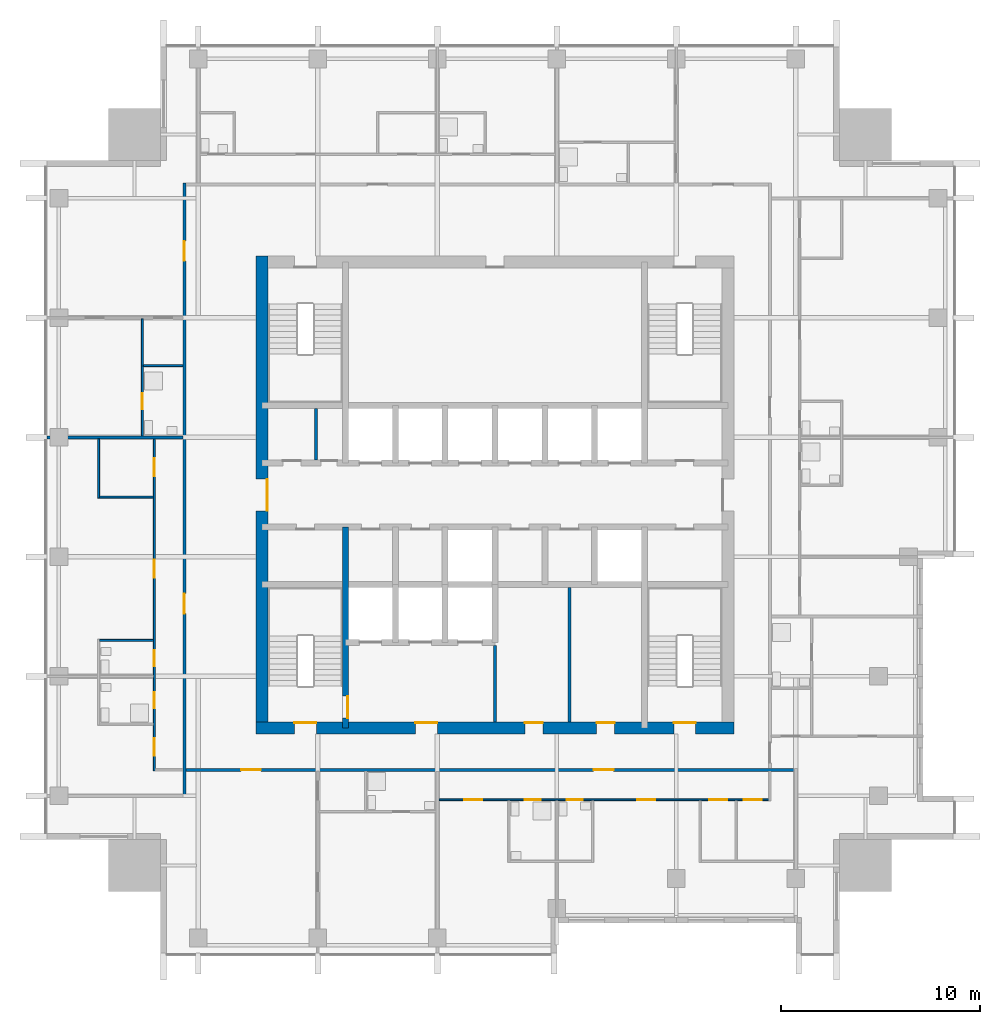
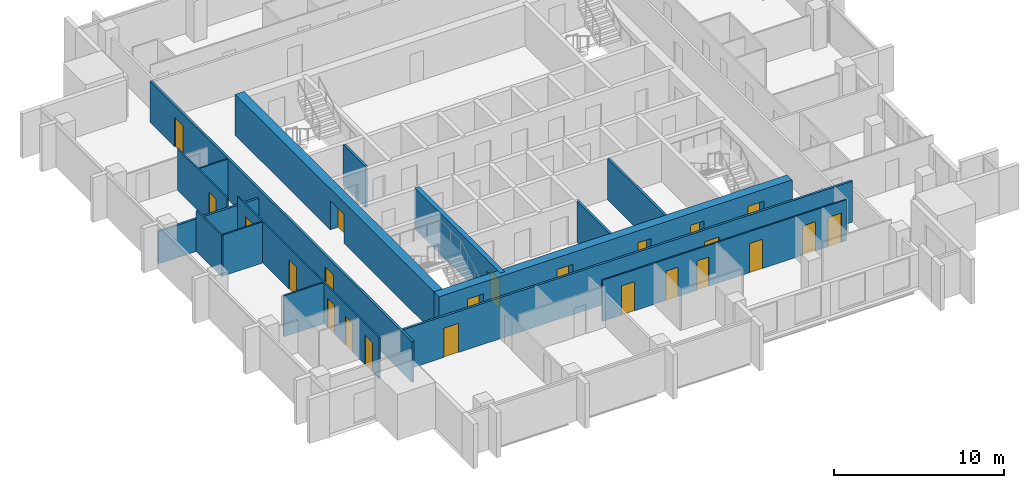
# One storey, part 4 of 10: 23 doors, 16 walls, 23 openings.
"""IFC4 building model written with IfcOpenShell, lengths in metres."""

from ifc_helpers import new_model, si_unit, direction, frame, frame_2d, origin, place, context, subcontext, project, spatial, rectangle, extrude, material, layer, layer_set, type_object, element, fill, save


model = new_model("IFC4")

# Units and contexts
model_context = context("Model", 3, precision=1e-05, world=origin(), true_north=direction((0.0, 1.0)))
body_context = subcontext(model_context, "Body", "Model", "MODEL_VIEW")
ifc_project = project(units=[si_unit("LENGTHUNIT", "METRE"), si_unit("AREAUNIT", "SQUARE_METRE"), si_unit("VOLUMEUNIT", "CUBIC_METRE"), si_unit("PLANEANGLEUNIT", "RADIAN"), si_unit("MASSUNIT", "GRAM", prefix="KILO")], contexts=[model_context])

# Site, building, storey
site_placement = place(None, origin())
site = spatial("IfcSite", under=ifc_project, at=site_placement, CompositionType="ELEMENT")
building_placement = place(site_placement, origin())
building = spatial("IfcBuilding", under=site, at=building_placement, Name="Amberfall Residences", CompositionType="ELEMENT")
storey_placement = place(building_placement, frame((0.0, 0.0, 226.60009765625)))
storey = spatial("IfcBuildingStorey", under=building, at=storey_placement, Name="L61", CompositionType="ELEMENT", Elevation=226.60009765625)

# Wall, opening, door
ifc_material_1 = material(Name="Concrete C55", Category="concrete")
ifc_layer_1 = layer(ifc_material_1, 0.300048828125)
ifc_layer_set_1 = layer_set([ifc_layer_1], Name="Core wall 300 C55")
wall_type_1 = type_object("IfcWallType", Name="Core wall 300 C55", PredefinedType="SHEAR", material=ifc_layer_set_1)
wall_1_placement = place(storey_placement, frame((67.0, 33.800048828125, 0.0), z_axis=(0.0, 0.0, 1.0), x_axis=(0.0, 1.0, 0.0)))
wall_1 = element("IfcWall", 1, at=wall_1_placement, inside=storey, type_object=wall_type_1, Name="Core wall RW8 L61 V45S", PredefinedType="SHEAR", context=body_context, shape_type="SweptSolid", body=[
    extrude(rectangle(XDim=10.099853515625, YDim=0.300048828125, at=frame_2d((5.0498046875, 0.0))), origin(), (0.0, 0.0, 1.0), 2.949951171875),
])
opening_1_placement = place(wall_1_placement, frame((0.5, 0.0, 0.0)))
opening_1 = element("IfcOpeningElement", 2, at=opening_1_placement, cuts=wall_1, Name="Opening FL1", PredefinedType="OPENING", context=body_context, shape_type="SweptSolid", body=[
    extrude(rectangle(XDim=1.10009765625, YDim=2.10009765625, at=frame_2d((0.550048828125, 1.050048828125))), frame((0.0, 0.159912109375, 0.0), z_axis=(0.0, -1.0, 0.0), x_axis=(1.0, 0.0, 0.0)), (0.0, 0.0, 1.0), 0.320068359375),
])
ifc_material_2 = material(Name="Steel fire door set", Category="steel")
door_type_1 = type_object("IfcDoorType", Name="Firefighting lobby door 1100 x 2100", OperationType="SINGLE_SWING_LEFT", PredefinedType="DOOR", material=ifc_material_2)
door_1_placement = place(opening_1_placement, origin())
door_1 = element("IfcDoor", 3, at=door_1_placement, inside=storey, type_object=door_type_1, Name="FL1 L61", OperationType="SINGLE_SWING_RIGHT", OverallHeight=2.10009765625, OverallWidth=1.10009765625, PredefinedType="DOOR", context=body_context, shape_type="SweptSolid", body=[
    extrude(rectangle(XDim=1.10009765625, YDim=2.10009765625, at=frame_2d((0.550048828125, 1.050048828125))), frame((0.0, -0.08740234375, 0.0), z_axis=(0.0, -1.0, 0.0), x_axis=(1.0, 0.0, 0.0)), (0.0, 0.0, 1.0), 0.050048828125),
])
fill(opening_1, door_1)

# Wall, openings, doors
ifc_layer_2 = layer(ifc_material_1, 0.60009765625)
ifc_layer_set_2 = layer_set([ifc_layer_2], Name="Core wall 600 C55")
wall_type_2 = type_object("IfcWallType", Name="Core wall 600 C55", PredefinedType="SHEAR", material=ifc_layer_set_2)
wall_2_placement = place(storey_placement, frame((62.5, 33.800048828125, 0.0), z_axis=(0.0, 0.0, 1.0), x_axis=(1.0, 0.0, 0.0)))
wall_2 = element("IfcWall", 4, at=wall_2_placement, inside=storey, type_object=wall_type_2, Name="Core wall RW7 L61 OS", PredefinedType="SHEAR", context=body_context, shape_type="SweptSolid", body=[
    extrude(rectangle(XDim=24.0, YDim=0.60009765625, at=frame_2d((12.0, 0.0))), origin(), (0.0, 0.0, 1.0), 2.949951171875),
])
opening_2_placement = place(wall_2_placement, frame((1.925048828125, 0.0, 0.0)))
opening_2 = element("IfcOpeningElement", 5, at=opening_2_placement, cuts=wall_2, Name="Opening SD1", PredefinedType="OPENING", context=body_context, shape_type="SweptSolid", body=[
    extrude(rectangle(XDim=1.10009765625, YDim=2.10009765625, at=frame_2d((0.550048828125, 1.050048828125))), frame((0.0, 0.31005859375, 0.0), z_axis=(0.0, -1.0, 0.0), x_axis=(1.0, 0.0, 0.0)), (0.0, 0.0, 1.0), 0.6201171875),
])
opening_3_placement = place(wall_2_placement, frame((20.97509765625, 0.0, 0.0)))
opening_3 = element("IfcOpeningElement", 6, at=opening_3_placement, cuts=wall_2, Name="Opening SD1", PredefinedType="OPENING", context=body_context, shape_type="SweptSolid", body=[
    extrude(rectangle(XDim=1.10009765625, YDim=2.10009765625, at=frame_2d((0.550048828125, 1.050048828125))), frame((0.0, 0.31005859375, 0.0), z_axis=(0.0, -1.0, 0.0), x_axis=(1.0, 0.0, 0.0)), (0.0, 0.0, 1.0), 0.6201171875),
])
opening_4_placement = place(wall_2_placement, frame((8.0, 0.0, 0.0)))
opening_4 = element("IfcOpeningElement", 7, at=opening_4_placement, cuts=wall_2, Name="Opening FL1", PredefinedType="OPENING", context=body_context, shape_type="SweptSolid", body=[
    extrude(rectangle(XDim=1.10009765625, YDim=2.10009765625, at=frame_2d((0.550048828125, 1.050048828125))), frame((0.0, 0.31005859375, 0.0), z_axis=(0.0, -1.0, 0.0), x_axis=(1.0, 0.0, 0.0)), (0.0, 0.0, 1.0), 0.6201171875),
])
opening_5_placement = place(wall_2_placement, frame((13.5, 0.0, 0.0)))
opening_5 = element("IfcOpeningElement", 8, at=opening_5_placement, cuts=wall_2, Name="Opening RD1", PredefinedType="OPENING", context=body_context, shape_type="SweptSolid", body=[
    extrude(rectangle(XDim=0.89990234375, YDim=2.10009765625, at=frame_2d((0.449951171875, 1.050048828125))), frame((0.0, 0.31005859375, 0.0), z_axis=(0.0, -1.0, 0.0), x_axis=(1.0, 0.0, 0.0)), (0.0, 0.0, 1.0), 0.6201171875),
])
opening_6_placement = place(wall_2_placement, frame((17.10009765625, 0.0, 0.0)))
opening_6 = element("IfcOpeningElement", 9, at=opening_6_placement, cuts=wall_2, Name="Opening RD1", PredefinedType="OPENING", context=body_context, shape_type="SweptSolid", body=[
    extrude(rectangle(XDim=0.89990234375, YDim=2.10009765625, at=frame_2d((0.449951171875, 1.050048828125))), frame((0.0, 0.31005859375, 0.0), z_axis=(0.0, -1.0, 0.0), x_axis=(1.0, 0.0, 0.0)), (0.0, 0.0, 1.0), 0.6201171875),
])
door_2_placement = place(opening_4_placement, origin())
door_2 = element("IfcDoor", 10, at=door_2_placement, inside=storey, type_object=door_type_1, Name="FL1 L61", OperationType="SINGLE_SWING_LEFT", OverallHeight=2.10009765625, OverallWidth=1.10009765625, PredefinedType="DOOR", context=body_context, shape_type="SweptSolid", body=[
    extrude(rectangle(XDim=1.10009765625, YDim=2.10009765625, at=frame_2d((0.550048828125, 1.050048828125))), frame((0.0, 0.28759765625, 0.0), z_axis=(0.0, -1.0, 0.0), x_axis=(1.0, 0.0, 0.0)), (0.0, 0.0, 1.0), 0.050048828125),
])
fill(opening_4, door_2)
door_type_2 = type_object("IfcDoorType", Name="Service room door 900 x 2100", OperationType="SINGLE_SWING_LEFT", PredefinedType="DOOR", material=ifc_material_2)
door_3_placement = place(opening_5_placement, origin())
door_3 = element("IfcDoor", 11, at=door_3_placement, inside=storey, type_object=door_type_2, Name="RD1 L61", OperationType="SINGLE_SWING_LEFT", OverallHeight=2.10009765625, OverallWidth=0.89990234375, PredefinedType="DOOR", context=body_context, shape_type="SweptSolid", body=[
    extrude(rectangle(XDim=0.89990234375, YDim=2.10009765625, at=frame_2d((0.449951171875, 1.050048828125))), frame((0.0, 0.28759765625, 0.0), z_axis=(0.0, -1.0, 0.0), x_axis=(1.0, 0.0, 0.0)), (0.0, 0.0, 1.0), 0.050048828125),
])
fill(opening_5, door_3)
door_4_placement = place(opening_6_placement, origin())
door_4 = element("IfcDoor", 12, at=door_4_placement, inside=storey, type_object=door_type_2, Name="RD1 L61", OperationType="SINGLE_SWING_LEFT", OverallHeight=2.10009765625, OverallWidth=0.89990234375, PredefinedType="DOOR", context=body_context, shape_type="SweptSolid", body=[
    extrude(rectangle(XDim=0.89990234375, YDim=2.10009765625, at=frame_2d((0.449951171875, 1.050048828125))), frame((0.0, 0.28759765625, 0.0), z_axis=(0.0, -1.0, 0.0), x_axis=(1.0, 0.0, 0.0)), (0.0, 0.0, 1.0), 0.050048828125),
])
fill(opening_6, door_4)
door_type_3 = type_object("IfcDoorType", Name="Stair door 1100 x 2100", OperationType="SINGLE_SWING_LEFT", PredefinedType="DOOR", material=ifc_material_2)
door_5_placement = place(opening_2_placement, origin())
door_5 = element("IfcDoor", 13, at=door_5_placement, inside=storey, type_object=door_type_3, Name="SD1 L61", OperationType="SINGLE_SWING_LEFT", OverallHeight=2.10009765625, OverallWidth=1.10009765625, PredefinedType="DOOR", context=body_context, shape_type="SweptSolid", body=[
    extrude(rectangle(XDim=1.10009765625, YDim=2.10009765625, at=frame_2d((0.550048828125, 1.050048828125))), frame((0.0, 0.28759765625, 0.0), z_axis=(0.0, -1.0, 0.0), x_axis=(1.0, 0.0, 0.0)), (0.0, 0.0, 1.0), 0.050048828125),
])
fill(opening_2, door_5)
door_6_placement = place(opening_3_placement, origin())
door_6 = element("IfcDoor", 14, at=door_6_placement, inside=storey, type_object=door_type_3, Name="SD1 L61", OperationType="SINGLE_SWING_RIGHT", OverallHeight=2.10009765625, OverallWidth=1.10009765625, PredefinedType="DOOR", context=body_context, shape_type="SweptSolid", body=[
    extrude(rectangle(XDim=1.10009765625, YDim=2.10009765625, at=frame_2d((0.550048828125, 1.050048828125))), frame((0.0, 0.28759765625, 0.0), z_axis=(0.0, -1.0, 0.0), x_axis=(1.0, 0.0, 0.0)), (0.0, 0.0, 1.0), 0.050048828125),
])
fill(opening_3, door_6)

# Wall, opening, door
wall_3_placement = place(storey_placement, frame((62.800048828125, 33.5, 0.0), z_axis=(0.0, 0.0, 1.0), x_axis=(0.0, 1.0, 0.0)))
wall_3 = element("IfcWall", 15, at=wall_3_placement, inside=storey, type_object=wall_type_2, Name="Core wall RW7 L61 OW", PredefinedType="SHEAR", context=body_context, shape_type="SweptSolid", body=[
    extrude(rectangle(XDim=24.0, YDim=0.60009765625, at=frame_2d((12.0, 0.0))), origin(), (0.0, 0.0, 1.0), 2.949951171875),
])
opening_7_placement = place(wall_3_placement, frame((11.199951171875, 0.0, 0.0)))
opening_7 = element("IfcOpeningElement", 16, at=opening_7_placement, cuts=wall_3, Name="Opening LB1", PredefinedType="OPENING", context=body_context, shape_type="SweptSolid", body=[
    extrude(rectangle(XDim=1.60009765625, YDim=2.10009765625, at=frame_2d((0.800048828125, 1.050048828125))), frame((0.0, 0.31005859375, 0.0), z_axis=(0.0, -1.0, 0.0), x_axis=(1.0, 0.0, 0.0)), (0.0, 0.0, 1.0), 0.6201171875),
])
door_type_4 = type_object("IfcDoorType", Name="Lift lobby double door 1600 x 2100", OperationType="DOUBLE_DOOR_SINGLE_SWING", PredefinedType="DOOR", material=ifc_material_2)
door_7_placement = place(opening_7_placement, origin())
door_7 = element("IfcDoor", 17, at=door_7_placement, inside=storey, type_object=door_type_4, Name="LB1 L61", OperationType="DOUBLE_DOOR_SINGLE_SWING", OverallHeight=2.10009765625, OverallWidth=1.60009765625, PredefinedType="DOOR", context=body_context, shape_type="SweptSolid", body=[
    extrude(rectangle(XDim=1.60009765625, YDim=2.10009765625, at=frame_2d((0.800048828125, 1.050048828125))), frame((0.0, -0.2373046875, 0.0), z_axis=(0.0, -1.0, 0.0), x_axis=(1.0, 0.0, 0.0)), (0.0, 0.0, 1.0), 0.050048828125),
])
fill(opening_7, door_7)

# Wall
ifc_material_3 = material(Name="Gypsum board on metal stud")
ifc_layer_3 = layer(ifc_material_3, 0.10009765625)
ifc_layer_set_3 = layer_set([ifc_layer_3], Name="Flat partition 100")
wall_type_3 = type_object("IfcWallType", Name="Flat partition 100", PredefinedType="PARTITIONING", material=ifc_layer_set_3)
wall_4_placement = place(storey_placement, frame((54.60009765625, 45.35009765625, 0.0), z_axis=(0.0, 0.0, 1.0), x_axis=(0.0, 1.0, 0.0)))
element("IfcWall", 18, at=wall_4_placement, inside=storey, type_object=wall_type_3, Name="Partition 002", PredefinedType="PARTITIONING", context=body_context, shape_type="SweptSolid", body=[
    extrude(rectangle(XDim=2.974853515625, YDim=0.10009765625, at=frame_2d((1.4873046875, 0.0))), origin(), (0.0, 0.0, 1.0), 2.949951171875),
])

# Wall, opening, door
wall_5_placement = place(storey_placement, frame((56.800048828125, 54.35009765625, 0.0), z_axis=(0.0, 0.0, 1.0), x_axis=(0.0, -1.0, 0.0)))
wall_5 = element("IfcWall", 19, at=wall_5_placement, inside=storey, type_object=wall_type_3, Name="Partition 003", PredefinedType="PARTITIONING", context=body_context, shape_type="SweptSolid", body=[
    extrude(rectangle(XDim=5.875, YDim=0.10009765625, at=frame_2d((2.9375, 0.0))), origin(), (0.0, 0.0, 1.0), 2.949951171875),
])
opening_8_placement = place(wall_5_placement, frame((3.75, 0.0, 0.0)))
opening_8 = element("IfcOpeningElement", 20, at=opening_8_placement, cuts=wall_5, Name="Opening D42", PredefinedType="OPENING", context=body_context, shape_type="SweptSolid", body=[
    extrude(rectangle(XDim=0.800048828125, YDim=2.10009765625, at=frame_2d((0.39990234375, 1.050048828125))), frame((0.0, 0.06005859375, 0.0), z_axis=(0.0, -1.0, 0.0), x_axis=(1.0, 0.0, 0.0)), (0.0, 0.0, 1.0), 0.1201171875),
])
ifc_material_4 = material(Name="Timber", Category="wood")
door_type_5 = type_object("IfcDoorType", Name="Bathroom door 800 x 2100", OperationType="SINGLE_SWING_LEFT", PredefinedType="DOOR", material=ifc_material_4)
door_8_placement = place(opening_8_placement, origin())
door_8 = element("IfcDoor", 21, at=door_8_placement, inside=storey, type_object=door_type_5, Name="Door 6108 bath1", OperationType="SINGLE_SWING_LEFT", OverallHeight=2.10009765625, OverallWidth=0.800048828125, PredefinedType="DOOR", context=body_context, shape_type="SweptSolid", body=[
    extrude(rectangle(XDim=0.800048828125, YDim=2.10009765625, at=frame_2d((0.39990234375, 1.050048828125))), frame((0.0, 0.02490234375, 0.0), z_axis=(0.0, -1.0, 0.0), x_axis=(1.0, 0.0, 0.0)), (0.0, 0.0, 1.0), 0.050048828125),
])
fill(opening_8, door_8)

# Wall, openings, doors
wall_6_placement = place(storey_placement, frame((57.39990234375, 31.64990234375, 0.0), z_axis=(0.0, 0.0, 1.0), x_axis=(0.0, 1.0, 0.0)))
wall_6 = element("IfcWall", 22, at=wall_6_placement, inside=storey, type_object=wall_type_3, Name="Partition 004", PredefinedType="PARTITIONING", context=body_context, shape_type="SweptSolid", body=[
    extrude(rectangle(XDim=16.675048828125, YDim=0.10009765625, at=frame_2d((8.33740234375, 0.0))), origin(), (0.0, 0.0, 1.0), 2.949951171875),
])
opening_9_placement = place(wall_6_placement, frame((9.699951171875, 0.0, 0.0)))
opening_9 = element("IfcOpeningElement", 23, at=opening_9_placement, cuts=wall_6, Name="Opening D41", PredefinedType="OPENING", context=body_context, shape_type="SweptSolid", body=[
    extrude(rectangle(XDim=0.89990234375, YDim=2.10009765625, at=frame_2d((0.449951171875, 1.050048828125))), frame((0.0, 0.06005859375, 0.0), z_axis=(0.0, -1.0, 0.0), x_axis=(1.0, 0.0, 0.0)), (0.0, 0.0, 1.0), 0.1201171875),
])
opening_10_placement = place(wall_6_placement, frame((14.800048828125, 0.0, 0.0)))
opening_10 = element("IfcOpeningElement", 24, at=opening_10_placement, cuts=wall_6, Name="Opening D41", PredefinedType="OPENING", context=body_context, shape_type="SweptSolid", body=[
    extrude(rectangle(XDim=0.89990234375, YDim=2.10009765625, at=frame_2d((0.449951171875, 1.050048828125))), frame((0.0, 0.06005859375, 0.0), z_axis=(0.0, -1.0, 0.0), x_axis=(1.0, 0.0, 0.0)), (0.0, 0.0, 1.0), 0.1201171875),
])
opening_11_placement = place(wall_6_placement, frame((5.25, 0.0, 0.0)))
opening_11 = element("IfcOpeningElement", 25, at=opening_11_placement, cuts=wall_6, Name="Opening D42", PredefinedType="OPENING", context=body_context, shape_type="SweptSolid", body=[
    extrude(rectangle(XDim=0.800048828125, YDim=2.10009765625, at=frame_2d((0.39990234375, 1.050048828125))), frame((0.0, 0.06005859375, 0.0), z_axis=(0.0, -1.0, 0.0), x_axis=(1.0, 0.0, 0.0)), (0.0, 0.0, 1.0), 0.1201171875),
])
opening_12_placement = place(wall_6_placement, frame((0.75, 0.0, 0.0)))
opening_12 = element("IfcOpeningElement", 26, at=opening_12_placement, cuts=wall_6, Name="Opening D41", PredefinedType="OPENING", context=body_context, shape_type="SweptSolid", body=[
    extrude(rectangle(XDim=0.89990234375, YDim=2.10009765625, at=frame_2d((0.449951171875, 1.050048828125))), frame((0.0, 0.06005859375, 0.0), z_axis=(0.0, -1.0, 0.0), x_axis=(1.0, 0.0, 0.0)), (0.0, 0.0, 1.0), 0.1201171875),
])
opening_13_placement = place(wall_6_placement, frame((3.14990234375, 0.0, 0.0)))
opening_13 = element("IfcOpeningElement", 27, at=opening_13_placement, cuts=wall_6, Name="Opening D42", PredefinedType="OPENING", context=body_context, shape_type="SweptSolid", body=[
    extrude(rectangle(XDim=0.800048828125, YDim=2.10009765625, at=frame_2d((0.39990234375, 1.050048828125))), frame((0.0, 0.06005859375, 0.0), z_axis=(0.0, -1.0, 0.0), x_axis=(1.0, 0.0, 0.0)), (0.0, 0.0, 1.0), 0.1201171875),
])
door_9_placement = place(opening_11_placement, origin())
door_9 = element("IfcDoor", 28, at=door_9_placement, inside=storey, type_object=door_type_5, Name="Door 6107 wc1", OperationType="SINGLE_SWING_LEFT", OverallHeight=2.10009765625, OverallWidth=0.800048828125, PredefinedType="DOOR", context=body_context, shape_type="SweptSolid", body=[
    extrude(rectangle(XDim=0.800048828125, YDim=2.10009765625, at=frame_2d((0.39990234375, 1.050048828125))), frame((0.0, 0.02490234375, 0.0), z_axis=(0.0, -1.0, 0.0), x_axis=(1.0, 0.0, 0.0)), (0.0, 0.0, 1.0), 0.050048828125),
])
fill(opening_11, door_9)
door_10_placement = place(opening_13_placement, origin())
door_10 = element("IfcDoor", 29, at=door_10_placement, inside=storey, type_object=door_type_5, Name="Door 6107 bath1", OperationType="SINGLE_SWING_LEFT", OverallHeight=2.10009765625, OverallWidth=0.800048828125, PredefinedType="DOOR", context=body_context, shape_type="SweptSolid", body=[
    extrude(rectangle(XDim=0.800048828125, YDim=2.10009765625, at=frame_2d((0.39990234375, 1.050048828125))), frame((0.0, 0.02490234375, 0.0), z_axis=(0.0, -1.0, 0.0), x_axis=(1.0, 0.0, 0.0)), (0.0, 0.0, 1.0), 0.050048828125),
])
fill(opening_13, door_10)
door_type_6 = type_object("IfcDoorType", Name="Internal door 900 x 2100", OperationType="SINGLE_SWING_LEFT", PredefinedType="DOOR", material=ifc_material_4)
door_11_placement = place(opening_9_placement, origin())
door_11 = element("IfcDoor", 30, at=door_11_placement, inside=storey, type_object=door_type_6, Name="Door 6107 living", OperationType="SINGLE_SWING_LEFT", OverallHeight=2.10009765625, OverallWidth=0.89990234375, PredefinedType="DOOR", context=body_context, shape_type="SweptSolid", body=[
    extrude(rectangle(XDim=0.89990234375, YDim=2.10009765625, at=frame_2d((0.449951171875, 1.050048828125))), frame((0.0, 0.02490234375, 0.0), z_axis=(0.0, -1.0, 0.0), x_axis=(1.0, 0.0, 0.0)), (0.0, 0.0, 1.0), 0.050048828125),
])
fill(opening_9, door_11)
door_12_placement = place(opening_10_placement, origin())
door_12 = element("IfcDoor", 31, at=door_12_placement, inside=storey, type_object=door_type_6, Name="Door 6107 kitchen", OperationType="SINGLE_SWING_LEFT", OverallHeight=2.10009765625, OverallWidth=0.89990234375, PredefinedType="DOOR", context=body_context, shape_type="SweptSolid", body=[
    extrude(rectangle(XDim=0.89990234375, YDim=2.10009765625, at=frame_2d((0.449951171875, 1.050048828125))), frame((0.0, 0.02490234375, 0.0), z_axis=(0.0, -1.0, 0.0), x_axis=(1.0, 0.0, 0.0)), (0.0, 0.0, 1.0), 0.050048828125),
])
fill(opening_10, door_12)
door_13_placement = place(opening_12_placement, origin())
door_13 = element("IfcDoor", 32, at=door_13_placement, inside=storey, type_object=door_type_6, Name="Door 6107 bedroom1", OperationType="SINGLE_SWING_LEFT", OverallHeight=2.10009765625, OverallWidth=0.89990234375, PredefinedType="DOOR", context=body_context, shape_type="SweptSolid", body=[
    extrude(rectangle(XDim=0.89990234375, YDim=2.10009765625, at=frame_2d((0.449951171875, 1.050048828125))), frame((0.0, 0.02490234375, 0.0), z_axis=(0.0, -1.0, 0.0), x_axis=(1.0, 0.0, 0.0)), (0.0, 0.0, 1.0), 0.050048828125),
])
fill(opening_12, door_13)

# Walls
wall_7_placement = place(storey_placement, frame((56.85009765625, 52.0, 0.0), z_axis=(0.0, 0.0, 1.0), x_axis=(1.0, 0.0, 0.0)))
element("IfcWall", 33, at=wall_7_placement, inside=storey, type_object=wall_type_3, Name="Partition 029", PredefinedType="PARTITIONING", context=body_context, shape_type="SweptSolid", body=[
    extrude(rectangle(XDim=1.974853515625, YDim=0.10009765625, at=frame_2d((0.9873046875, 0.0))), origin(), (0.0, 0.0, 1.0), 2.949951171875),
])
for number, where, z_axis, x_axis, name in (
    (34, (54.64990234375, 45.39990234375, 0.0), (0.0, 0.0, 1.0), (1.0, 0.0, 0.0), "Partition 033"),
    (35, (54.64990234375, 38.199951171875, 0.0), (0.0, 0.0, 1.0), (1.0, 0.0, 0.0), "Partition 035"),
):
    element("IfcWall", number, at=place(storey_placement, frame(where, z_axis=z_axis, x_axis=x_axis)), inside=storey, type_object=wall_type_3, Name=name, PredefinedType="PARTITIONING", context=body_context, shape_type="SweptSolid", body=[
        extrude(rectangle(XDim=2.7001953125, YDim=0.10009765625, at=frame_2d((1.35009765625, 0.0))), origin(), (0.0, 0.0, 1.0), 2.949951171875),
    ])

# Wall, openings, doors
wall_8_placement = place(storey_placement, frame((88.25, 30.199951171875, 0.0), z_axis=(0.0, 0.0, 1.0), x_axis=(-1.0, 0.0, 0.0)))
wall_8 = element("IfcWall", 36, at=wall_8_placement, inside=storey, type_object=wall_type_3, Name="Partition 041", PredefinedType="PARTITIONING", context=body_context, shape_type="SweptSolid", body=[
    extrude(rectangle(XDim=16.574951171875, YDim=0.10009765625, at=frame_2d((8.28759765625, 0.0))), origin(), (0.0, 0.0, 1.0), 2.949951171875),
])
opening_14_placement = place(wall_8_placement, frame((5.699951171875, 0.0, 0.0)))
opening_14 = element("IfcOpeningElement", 37, at=opening_14_placement, cuts=wall_8, Name="Opening D41", PredefinedType="OPENING", context=body_context, shape_type="SweptSolid", body=[
    extrude(rectangle(XDim=0.89990234375, YDim=2.10009765625, at=frame_2d((0.449951171875, 1.050048828125))), frame((0.0, 0.06005859375, 0.0), z_axis=(0.0, -1.0, 0.0), x_axis=(1.0, 0.0, 0.0)), (0.0, 0.0, 1.0), 0.1201171875),
])
opening_15_placement = place(wall_8_placement, frame((0.35009765625, 0.0, 0.0)))
opening_15 = element("IfcOpeningElement", 38, at=opening_15_placement, cuts=wall_8, Name="Opening D41", PredefinedType="OPENING", context=body_context, shape_type="SweptSolid", body=[
    extrude(rectangle(XDim=0.89990234375, YDim=2.10009765625, at=frame_2d((0.449951171875, 1.050048828125))), frame((0.0, 0.06005859375, 0.0), z_axis=(0.0, -1.0, 0.0), x_axis=(1.0, 0.0, 0.0)), (0.0, 0.0, 1.0), 0.1201171875),
])
opening_16_placement = place(wall_8_placement, frame((2.10009765625, 0.0, 0.0)))
opening_16 = element("IfcOpeningElement", 39, at=opening_16_placement, cuts=wall_8, Name="Opening D41", PredefinedType="OPENING", context=body_context, shape_type="SweptSolid", body=[
    extrude(rectangle(XDim=0.89990234375, YDim=2.10009765625, at=frame_2d((0.449951171875, 1.050048828125))), frame((0.0, 0.06005859375, 0.0), z_axis=(0.0, -1.0, 0.0), x_axis=(1.0, 0.0, 0.0)), (0.0, 0.0, 1.0), 0.1201171875),
])
opening_17_placement = place(wall_8_placement, frame((9.35009765625, 0.0, 0.0)))
opening_17 = element("IfcOpeningElement", 40, at=opening_17_placement, cuts=wall_8, Name="Opening D42", PredefinedType="OPENING", context=body_context, shape_type="SweptSolid", body=[
    extrude(rectangle(XDim=0.800048828125, YDim=2.10009765625, at=frame_2d((0.39990234375, 1.050048828125))), frame((0.0, 0.06005859375, 0.0), z_axis=(0.0, -1.0, 0.0), x_axis=(1.0, 0.0, 0.0)), (0.0, 0.0, 1.0), 0.1201171875),
])
opening_18_placement = place(wall_8_placement, frame((14.39990234375, 0.0, 0.0)))
opening_18 = element("IfcOpeningElement", 41, at=opening_18_placement, cuts=wall_8, Name="Opening D41", PredefinedType="OPENING", context=body_context, shape_type="SweptSolid", body=[
    extrude(rectangle(XDim=0.89990234375, YDim=2.10009765625, at=frame_2d((0.449951171875, 1.050048828125))), frame((0.0, 0.06005859375, 0.0), z_axis=(0.0, -1.0, 0.0), x_axis=(1.0, 0.0, 0.0)), (0.0, 0.0, 1.0), 0.1201171875),
])
opening_19_placement = place(wall_8_placement, frame((11.449951171875, 0.0, 0.0)))
opening_19 = element("IfcOpeningElement", 42, at=opening_19_placement, cuts=wall_8, Name="Opening D42", PredefinedType="OPENING", context=body_context, shape_type="SweptSolid", body=[
    extrude(rectangle(XDim=0.800048828125, YDim=2.10009765625, at=frame_2d((0.39990234375, 1.050048828125))), frame((0.0, 0.06005859375, 0.0), z_axis=(0.0, -1.0, 0.0), x_axis=(1.0, 0.0, 0.0)), (0.0, 0.0, 1.0), 0.1201171875),
])
door_14_placement = place(opening_17_placement, origin())
door_14 = element("IfcDoor", 43, at=door_14_placement, inside=storey, type_object=door_type_5, Name="Door 6102 wc1", OperationType="SINGLE_SWING_LEFT", OverallHeight=2.10009765625, OverallWidth=0.800048828125, PredefinedType="DOOR", context=body_context, shape_type="SweptSolid", body=[
    extrude(rectangle(XDim=0.800048828125, YDim=2.10009765625, at=frame_2d((0.39990234375, 1.050048828125))), frame((0.0, 0.02490234375, 0.0), z_axis=(0.0, -1.0, 0.0), x_axis=(1.0, 0.0, 0.0)), (0.0, 0.0, 1.0), 0.050048828125),
])
fill(opening_17, door_14)
door_15_placement = place(opening_19_placement, origin())
door_15 = element("IfcDoor", 44, at=door_15_placement, inside=storey, type_object=door_type_5, Name="Door 6102 bath1", OperationType="SINGLE_SWING_LEFT", OverallHeight=2.10009765625, OverallWidth=0.800048828125, PredefinedType="DOOR", context=body_context, shape_type="SweptSolid", body=[
    extrude(rectangle(XDim=0.800048828125, YDim=2.10009765625, at=frame_2d((0.39990234375, 1.050048828125))), frame((0.0, 0.02490234375, 0.0), z_axis=(0.0, -1.0, 0.0), x_axis=(1.0, 0.0, 0.0)), (0.0, 0.0, 1.0), 0.050048828125),
])
fill(opening_19, door_15)
door_16_placement = place(opening_14_placement, origin())
door_16 = element("IfcDoor", 45, at=door_16_placement, inside=storey, type_object=door_type_6, Name="Door 6102 living", OperationType="SINGLE_SWING_LEFT", OverallHeight=2.10009765625, OverallWidth=0.89990234375, PredefinedType="DOOR", context=body_context, shape_type="SweptSolid", body=[
    extrude(rectangle(XDim=0.89990234375, YDim=2.10009765625, at=frame_2d((0.449951171875, 1.050048828125))), frame((0.0, 0.02490234375, 0.0), z_axis=(0.0, -1.0, 0.0), x_axis=(1.0, 0.0, 0.0)), (0.0, 0.0, 1.0), 0.050048828125),
])
fill(opening_14, door_16)
door_17_placement = place(opening_15_placement, origin())
door_17 = element("IfcDoor", 46, at=door_17_placement, inside=storey, type_object=door_type_6, Name="Door 6102 kitchen", OperationType="SINGLE_SWING_LEFT", OverallHeight=2.10009765625, OverallWidth=0.89990234375, PredefinedType="DOOR", context=body_context, shape_type="SweptSolid", body=[
    extrude(rectangle(XDim=0.89990234375, YDim=2.10009765625, at=frame_2d((0.449951171875, 1.050048828125))), frame((0.0, 0.02490234375, 0.0), z_axis=(0.0, -1.0, 0.0), x_axis=(1.0, 0.0, 0.0)), (0.0, 0.0, 1.0), 0.050048828125),
])
fill(opening_15, door_17)
door_18_placement = place(opening_16_placement, origin())
door_18 = element("IfcDoor", 47, at=door_18_placement, inside=storey, type_object=door_type_6, Name="Door 6102 utility", OperationType="SINGLE_SWING_LEFT", OverallHeight=2.10009765625, OverallWidth=0.89990234375, PredefinedType="DOOR", context=body_context, shape_type="SweptSolid", body=[
    extrude(rectangle(XDim=0.89990234375, YDim=2.10009765625, at=frame_2d((0.449951171875, 1.050048828125))), frame((0.0, 0.02490234375, 0.0), z_axis=(0.0, -1.0, 0.0), x_axis=(1.0, 0.0, 0.0)), (0.0, 0.0, 1.0), 0.050048828125),
])
fill(opening_16, door_18)
door_19_placement = place(opening_18_placement, origin())
door_19 = element("IfcDoor", 48, at=door_19_placement, inside=storey, type_object=door_type_6, Name="Door 6102 bedroom1", OperationType="SINGLE_SWING_LEFT", OverallHeight=2.10009765625, OverallWidth=0.89990234375, PredefinedType="DOOR", context=body_context, shape_type="SweptSolid", body=[
    extrude(rectangle(XDim=0.89990234375, YDim=2.10009765625, at=frame_2d((0.449951171875, 1.050048828125))), frame((0.0, 0.02490234375, 0.0), z_axis=(0.0, -1.0, 0.0), x_axis=(1.0, 0.0, 0.0)), (0.0, 0.0, 1.0), 0.050048828125),
])
fill(opening_18, door_19)

ifc_material_5 = material(Name="Blockwork, plastered", Category="masonry")
ifc_layer_4 = layer(ifc_material_5, 0.14990234375)
ifc_layer_set_4 = layer_set([ifc_layer_4], Name="Flat separating wall 150")
wall_type_4 = type_object("IfcWallType", Name="Flat separating wall 150", PredefinedType="PARTITIONING", material=ifc_layer_set_4)
wall_9_placement = place(storey_placement, frame((58.89990234375, 30.324951171875, 0.0), z_axis=(0.0, 0.0, 1.0), x_axis=(0.0, 1.0, 0.0)))
wall_9 = element("IfcWall", 49, at=wall_9_placement, inside=storey, type_object=wall_type_4, Name="Separating wall 045", PredefinedType="PARTITIONING", context=body_context, shape_type="SweptSolid", body=[
    extrude(rectangle(XDim=30.85009765625, YDim=0.14990234375, at=frame_2d((15.425048828125, 0.0))), origin(), (0.0, 0.0, 1.0), 2.949951171875),
])
opening_20_placement = place(wall_9_placement, frame((9.22509765625, 0.0, 0.0)))
opening_20 = element("IfcOpeningElement", 50, at=opening_20_placement, cuts=wall_9, Name="Opening D40", PredefinedType="OPENING", context=body_context, shape_type="SweptSolid", body=[
    extrude(rectangle(XDim=1.0, YDim=2.10009765625, at=frame_2d((0.5, 1.050048828125))), frame((0.0, 0.0849609375, 0.0), z_axis=(0.0, -1.0, 0.0), x_axis=(1.0, 0.0, 0.0)), (0.0, 0.0, 1.0), 0.169921875),
])
opening_21_placement = place(wall_9_placement, frame((26.925048828125, 0.0, 0.0)))
opening_21 = element("IfcOpeningElement", 51, at=opening_21_placement, cuts=wall_9, Name="Opening D40", PredefinedType="OPENING", context=body_context, shape_type="SweptSolid", body=[
    extrude(rectangle(XDim=1.0, YDim=2.10009765625, at=frame_2d((0.5, 1.050048828125))), frame((0.0, 0.0849609375, 0.0), z_axis=(0.0, -1.0, 0.0), x_axis=(1.0, 0.0, 0.0)), (0.0, 0.0, 1.0), 0.169921875),
])
ifc_material_6 = material(Name="Timber, fire-rated", Category="wood")
door_type_7 = type_object("IfcDoorType", Name="Flat entrance door FD60 1000 x 2100", OperationType="SINGLE_SWING_LEFT", PredefinedType="DOOR", material=ifc_material_6)
door_20_placement = place(opening_20_placement, origin())
door_20 = element("IfcDoor", 52, at=door_20_placement, inside=storey, type_object=door_type_7, Name="Door 6107 entrance", OperationType="SINGLE_SWING_LEFT", OverallHeight=2.10009765625, OverallWidth=1.0, PredefinedType="DOOR", context=body_context, shape_type="SweptSolid", body=[
    extrude(rectangle(XDim=1.0, YDim=2.10009765625, at=frame_2d((0.5, 1.050048828125))), frame((0.0, 0.02490234375, 0.0), z_axis=(0.0, -1.0, 0.0), x_axis=(1.0, 0.0, 0.0)), (0.0, 0.0, 1.0), 0.050048828125),
])
fill(opening_20, door_20)
door_21_placement = place(opening_21_placement, origin())
door_21 = element("IfcDoor", 53, at=door_21_placement, inside=storey, type_object=door_type_7, Name="Door 6108 entrance", OperationType="SINGLE_SWING_LEFT", OverallHeight=2.10009765625, OverallWidth=1.0, PredefinedType="DOOR", context=body_context, shape_type="SweptSolid", body=[
    extrude(rectangle(XDim=1.0, YDim=2.10009765625, at=frame_2d((0.5, 1.050048828125))), frame((0.0, 0.02490234375, 0.0), z_axis=(0.0, -1.0, 0.0), x_axis=(1.0, 0.0, 0.0)), (0.0, 0.0, 1.0), 0.050048828125),
])
fill(opening_21, door_21)

# Wall
wall_10_placement = place(storey_placement, frame((52.0, 48.39990234375, 0.0), z_axis=(0.0, 0.0, 1.0), x_axis=(1.0, 0.0, 0.0)))
element("IfcWall", 54, at=wall_10_placement, inside=storey, type_object=wall_type_4, Name="Separating wall 053", PredefinedType="PARTITIONING", context=body_context, shape_type="SweptSolid", body=[
    extrude(rectangle(XDim=6.824951171875, YDim=0.14990234375, at=frame_2d((3.41259765625, 0.0))), origin(), (0.0, 0.0, 1.0), 2.331787109375),
])

# Wall, openings, doors
wall_11_placement = place(storey_placement, frame((89.52490234375, 31.699951171875, 0.0), z_axis=(0.0, 0.0, 1.0), x_axis=(-1.0, 0.0, 0.0)))
wall_11 = element("IfcWall", 55, at=wall_11_placement, inside=storey, type_object=wall_type_4, Name="Separating wall 055", PredefinedType="PARTITIONING", context=body_context, shape_type="SweptSolid", body=[
    extrude(rectangle(XDim=30.5498046875, YDim=0.14990234375, at=frame_2d((15.27490234375, 0.0))), origin(), (0.0, 0.0, 1.0), 2.949951171875),
])
opening_22_placement = place(wall_11_placement, frame((26.77490234375, 0.0, 0.0)))
opening_22 = element("IfcOpeningElement", 56, at=opening_22_placement, cuts=wall_11, Name="Opening D40", PredefinedType="OPENING", context=body_context, shape_type="SweptSolid", body=[
    extrude(rectangle(XDim=1.0, YDim=2.10009765625, at=frame_2d((0.5, 1.050048828125))), frame((0.0, 0.0849609375, 0.0), z_axis=(0.0, -1.0, 0.0), x_axis=(1.0, 0.0, 0.0)), (0.0, 0.0, 1.0), 0.169921875),
])
opening_23_placement = place(wall_11_placement, frame((9.074951171875, 0.0, 0.0)))
opening_23 = element("IfcOpeningElement", 57, at=opening_23_placement, cuts=wall_11, Name="Opening D40", PredefinedType="OPENING", context=body_context, shape_type="SweptSolid", body=[
    extrude(rectangle(XDim=1.0, YDim=2.10009765625, at=frame_2d((0.5, 1.050048828125))), frame((0.0, 0.0849609375, 0.0), z_axis=(0.0, -1.0, 0.0), x_axis=(1.0, 0.0, 0.0)), (0.0, 0.0, 1.0), 0.169921875),
])
door_22_placement = place(opening_22_placement, origin())
door_22 = element("IfcDoor", 58, at=door_22_placement, inside=storey, type_object=door_type_7, Name="Door 6101 entrance", OperationType="SINGLE_SWING_LEFT", OverallHeight=2.10009765625, OverallWidth=1.0, PredefinedType="DOOR", context=body_context, shape_type="SweptSolid", body=[
    extrude(rectangle(XDim=1.0, YDim=2.10009765625, at=frame_2d((0.5, 1.050048828125))), frame((0.0, 0.02490234375, 0.0), z_axis=(0.0, -1.0, 0.0), x_axis=(1.0, 0.0, 0.0)), (0.0, 0.0, 1.0), 0.050048828125),
])
fill(opening_22, door_22)
door_23_placement = place(opening_23_placement, origin())
door_23 = element("IfcDoor", 59, at=door_23_placement, inside=storey, type_object=door_type_7, Name="Door 6102 entrance", OperationType="SINGLE_SWING_LEFT", OverallHeight=2.10009765625, OverallWidth=1.0, PredefinedType="DOOR", context=body_context, shape_type="SweptSolid", body=[
    extrude(rectangle(XDim=1.0, YDim=2.10009765625, at=frame_2d((0.5, 1.050048828125))), frame((0.0, 0.02490234375, 0.0), z_axis=(0.0, -1.0, 0.0), x_axis=(1.0, 0.0, 0.0)), (0.0, 0.0, 1.0), 0.050048828125),
])
fill(opening_23, door_23)

# Walls
ifc_material_7 = material(Name="Concrete blockwork", Category="masonry")
ifc_layer_5 = layer(ifc_material_7, 0.14990234375)
ifc_layer_set_5 = layer_set([ifc_layer_5], Name="Riser wall 150")
wall_type_5 = type_object("IfcWallType", Name="Riser wall 150", PredefinedType="PLUMBINGWALL", material=ifc_layer_set_5)
wall_12_placement = place(storey_placement, frame((74.5, 34.10009765625, 0.0), z_axis=(0.0, 0.0, 1.0), x_axis=(0.0, 1.0, 0.0)))
element("IfcWall", 60, at=wall_12_placement, inside=storey, type_object=wall_type_5, Name="L61 core wall PX", PredefinedType="PLUMBINGWALL", context=body_context, shape_type="SweptSolid", body=[
    extrude(rectangle(XDim=3.849853515625, YDim=0.14990234375, at=frame_2d((1.9248046875, 0.0))), origin(), (0.0, 0.0, 1.0), 2.949951171875),
])
wall_13_placement = place(storey_placement, frame((78.25, 34.10009765625, 0.0), z_axis=(0.0, 0.0, 1.0), x_axis=(0.0, 1.0, 0.0)))
element("IfcWall", 61, at=wall_13_placement, inside=storey, type_object=wall_type_5, Name="L61 core wall E0", PredefinedType="PLUMBINGWALL", context=body_context, shape_type="SweptSolid", body=[
    extrude(rectangle(XDim=6.75, YDim=0.14990234375, at=frame_2d((3.375, 0.0))), origin(), (0.0, 0.0, 1.0), 2.949951171875),
])
wall_14_placement = place(storey_placement, frame((65.5, 47.25, 0.0), z_axis=(0.0, 0.0, 1.0), x_axis=(0.0, 1.0, 0.0)))
element("IfcWall", 62, at=wall_14_placement, inside=storey, type_object=wall_type_5, Name="L61 core wall ANW0", PredefinedType="PLUMBINGWALL", context=body_context, shape_type="SweptSolid", body=[
    extrude(rectangle(XDim=2.60009765625, YDim=0.14990234375, at=frame_2d((1.300048828125, 0.0))), origin(), (0.0, 0.0, 1.0), 2.949951171875),
])

save(model, "model.ifc")
